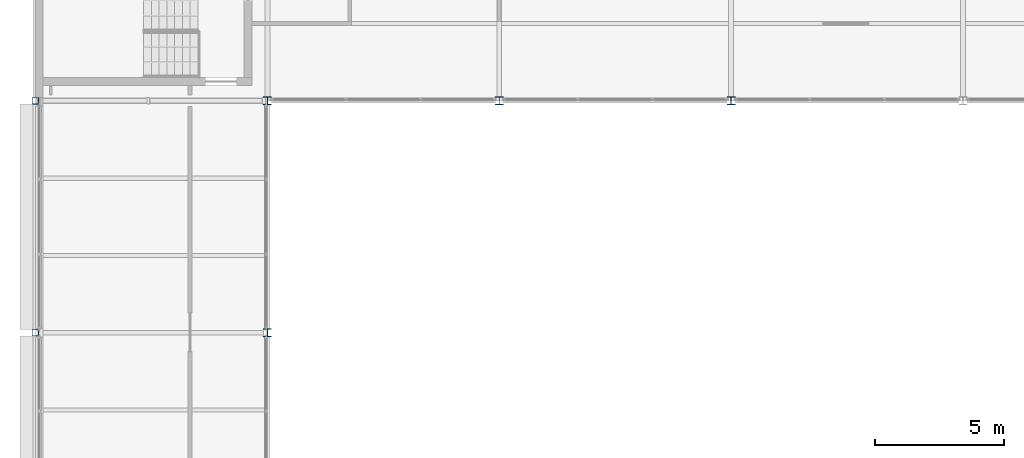
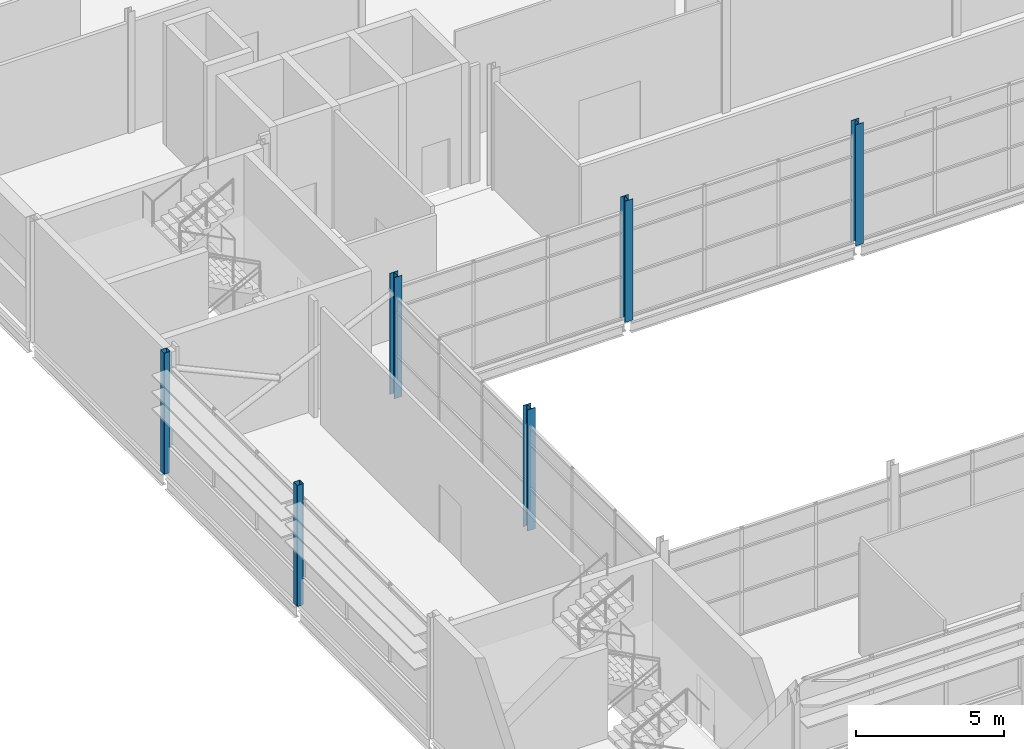
# One storey, part 2 of 61: 6 columns.
"""IFC4 building model written with IfcOpenShell, lengths in metres."""

from ifc_helpers import new_model, si_unit, direction, frame, origin, origin_2d, place, context, subcontext, project, spatial, hollow_rectangle, i_section, extrude, material, material_profile, profile_set, type_object, element, save


model = new_model("IFC4")

# Units and contexts
model_context = context("Model", 3, precision=1e-05, world=origin(), true_north=direction((0.0, 1.0)))
body_context = subcontext(model_context, "Body", "Model", "MODEL_VIEW")
ifc_project = project(units=[si_unit("LENGTHUNIT", "METRE"), si_unit("AREAUNIT", "SQUARE_METRE"), si_unit("VOLUMEUNIT", "CUBIC_METRE"), si_unit("PLANEANGLEUNIT", "RADIAN"), si_unit("MASSUNIT", "GRAM", prefix="KILO")], contexts=[model_context])

# Site, building, storey
site_placement = place(None, origin())
site = spatial("IfcSite", under=ifc_project, at=site_placement, CompositionType="ELEMENT")
building_placement = place(site_placement, origin())
building = spatial("IfcBuilding", under=site, at=building_placement, Name="Shorebreak Coast Museum", CompositionType="ELEMENT")
storey_placement = place(building_placement, frame((0.0, 0.0, 26.0)))
storey = spatial("IfcBuildingStorey", under=building, at=storey_placement, Name="L04", CompositionType="ELEMENT", Elevation=26.0)

# Columns
ifc_material_1 = material(Name="Steel Grade C450L0", Category="steel")
ifc_material_profile_1 = material_profile(ifc_material_1, hollow_rectangle(XDim=0.25, YDim=0.25, WallThickness=0.009033203125, InnerFilletRadius=0.013427734375, OuterFilletRadius=0.0224609375, at=origin_2d()), Name="250x250x9.0 SHS")
ifc_profile_set_1 = profile_set([ifc_material_profile_1], Name="Steel Grade C450L0")
column_type_1 = type_object("IfcColumnType", Name="Column 250x250x9.0 SHS", PredefinedType="COLUMN", material=ifc_profile_set_1)
for number, where, z_axis, x_axis, name in (
    (1, (54.0, 72.0, 0.0), (0.0, 0.0, 1.0), (1.0, 0.0, 0.0), "Column L04 7J"),
    (2, (54.0, 81.0, 0.0), (0.0, 0.0, 1.0), (1.0, 0.0, 0.0), "Column L04 7K"),
):
    element("IfcColumn", number, at=place(storey_placement, frame(where, z_axis=z_axis, x_axis=x_axis)), inside=storey, type_object=column_type_1, Name=name, PredefinedType="COLUMN", context=body_context, shape_type="SweptSolid", body=[
        extrude(hollow_rectangle(XDim=0.25, YDim=0.25, WallThickness=0.009033203125, InnerFilletRadius=0.013427734375, OuterFilletRadius=0.0224609375, at=origin_2d()), origin(), (0.0, 0.0, 1.0), 5.0),
    ])
ifc_material_2 = material(Name="Steel Grade 300", Category="steel")
ifc_material_profile_2 = material_profile(ifc_material_2, i_section(OverallWidth=0.306884765625, OverallDepth=0.314697265625, WebThickness=0.011962890625, FlangeThickness=0.018798828125, FilletRadius=0.0166015625, at=origin_2d()), Name="310UC118")
ifc_profile_set_2 = profile_set([ifc_material_profile_2], Name="Steel Grade 300")
column_type_2 = type_object("IfcColumnType", Name="Column 310UC118", PredefinedType="COLUMN", material=ifc_profile_set_2)
for number, where, z_axis, x_axis, name in (
    (3, (63.0, 72.0, 0.0), (0.0, 0.0, 1.0), (1.0, 0.0, 0.0), "Column L04 8J"),
    (4, (63.0, 81.0, 0.0), (0.0, 0.0, 1.0), (1.0, 0.0, 0.0), "Column L04 8K"),
    (5, (72.0, 81.0, 0.0), (0.0, 0.0, 1.0), (1.0, 0.0, 0.0), "Column L04 9K"),
    (6, (81.0, 81.0, 0.0), (0.0, 0.0, 1.0), (1.0, 0.0, 0.0), "Column L04 10K"),
):
    element("IfcColumn", number, at=place(storey_placement, frame(where, z_axis=z_axis, x_axis=x_axis)), inside=storey, type_object=column_type_2, Name=name, PredefinedType="COLUMN", context=body_context, shape_type="SweptSolid", body=[
        extrude(i_section(OverallWidth=0.306884765625, OverallDepth=0.314697265625, WebThickness=0.011962890625, FlangeThickness=0.018798828125, FilletRadius=0.0166015625, at=origin_2d()), origin(), (0.0, 0.0, 1.0), 5.0),
    ])

save(model, "model.ifc")
